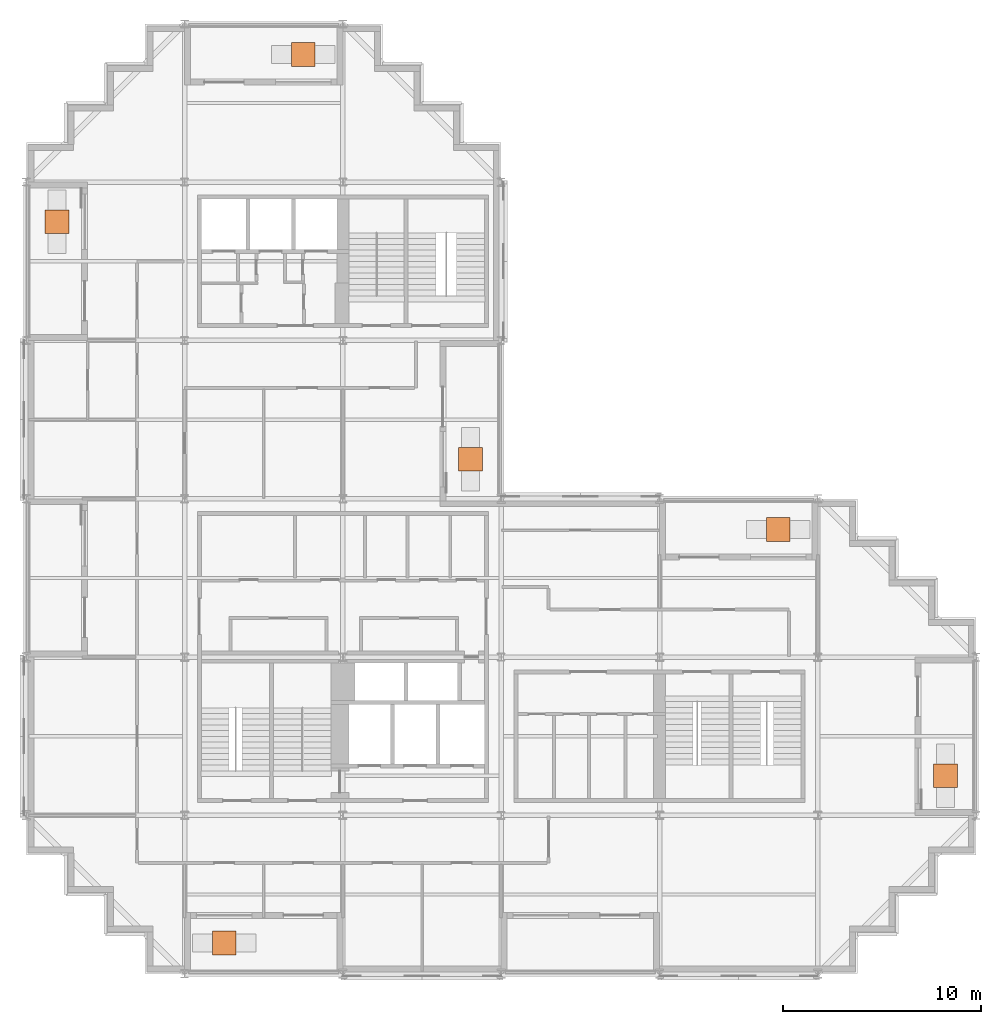
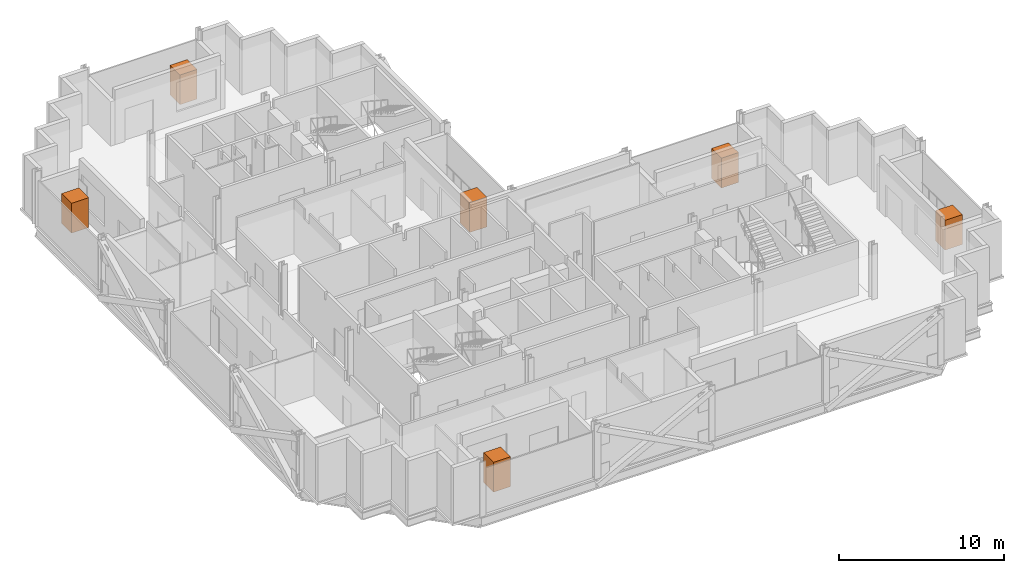
# One storey, part 12 of 12: 6 geographic elements.
"""IFC4 building model written with IfcOpenShell, lengths in metres."""

import ifcopenshell
import ifcopenshell.guid

model = None  # the IFC model being written
_history = None  # IfcOwnerHistory: only IFC2X3 demands one
_inside = {}  # id of a spatial element -> (the spatial element, [elements in it])
_under = {}  # id of a project, library or spatial element -> (it, [spatial elements below it])
_declared = {}  # id of a project -> (the project, [libraries it declares])
_typed = {}  # id of a type object -> (the type object, [elements of that type])
_made_of = {}  # id of a material, layer set ... -> (it, [elements and type objects made of it])


def new_model(schema):
    """Start an empty IFC model of exactly this schema.

    Asked for "IFC4X3", IfcOpenShell would pick the latest addendum, in which some entities
    have other attributes; the version numbers below select the first issue.
    IFC2X3 requires an IfcOwnerHistory on every rooted entity: one is made here for all.
    """
    global model, _history
    if schema == "IFC4X3":
        model = ifcopenshell.file(schema_version=(4, 3, 0, 0))
    else:
        model = ifcopenshell.file(schema=schema)
    _inside.clear()
    _under.clear()
    _declared.clear()
    _typed.clear()
    _made_of.clear()
    _history = None
    if model.schema == "IFC2X3":
        org = make("IfcOrganization", Name="unknown")
        user = make(
            "IfcPersonAndOrganization",
            ThePerson=make("IfcPerson", FamilyName="unknown"),
            TheOrganization=org,
        )
        app = make(
            "IfcApplication",
            ApplicationDeveloper=org,
            Version="unknown",
            ApplicationFullName="unknown",
            ApplicationIdentifier="unknown",
        )
        _history = make(
            "IfcOwnerHistory",
            OwningUser=user,
            OwningApplication=app,
            ChangeAction="ADDED",
            CreationDate=0,
        )
    return model


def make(cls, **values):
    """One entity of the class cls with the attributes given. An attribute that is None is left unset."""
    return model.create_entity(
        cls, **{name: value for name, value in values.items() if value is not None}
    )


def rooted(cls, **values):
    """An entity with a GlobalId (a new one), such as an element, a storey or a relation."""
    return make(cls, GlobalId=ifcopenshell.guid.new(), OwnerHistory=_history, **values)


def si_unit(unit_type, name, prefix=None):
    """IfcSIUnit, for example si_unit("LENGTHUNIT", "METRE", prefix="MILLI")."""
    return make("IfcSIUnit", UnitType=unit_type, Prefix=prefix, Name=name)


def assignment(units):
    """IfcUnitAssignment: the units of a project."""
    return None if units is None else make("IfcUnitAssignment", Units=units)


def point(xyz):
    """IfcCartesianPoint."""
    return None if xyz is None else make("IfcCartesianPoint", Coordinates=xyz)


def direction(xyz):
    """IfcDirection."""
    return None if xyz is None else make("IfcDirection", DirectionRatios=xyz)


def frame(location, z_axis=None, x_axis=None):
    """IfcAxis2Placement3D, a coordinate frame: its origin and axes. An axis left out is left unset."""
    return make(
        "IfcAxis2Placement3D",
        Location=point(location),
        Axis=direction(z_axis),
        RefDirection=direction(x_axis),
    )


def frame_2d(location, x_axis=None):
    """IfcAxis2Placement2D, a coordinate frame in the plane: its origin and x axis."""
    return make(
        "IfcAxis2Placement2D", Location=point(location), RefDirection=direction(x_axis)
    )


def origin():
    """The frame at (0, 0, 0) with its axes left unset."""
    return frame((0.0, 0.0, 0.0))


def origin_2d():
    """The frame at (0, 0) in the plane with its x axis left unset."""
    return frame_2d((0.0, 0.0))


def place(relative_to, where):
    """IfcLocalPlacement: puts the frame where relative to a parent placement (None: the world)."""
    return make(
        "IfcLocalPlacement", PlacementRelTo=relative_to, RelativePlacement=where
    )


def context(
    kind, dimensions, precision=None, world=None, true_north=None, identifier=None
):
    """IfcGeometricRepresentationContext, for example the 3D "Model" context."""
    return make(
        "IfcGeometricRepresentationContext",
        ContextIdentifier=identifier,
        ContextType=kind,
        CoordinateSpaceDimension=dimensions,
        Precision=precision,
        WorldCoordinateSystem=world,
        TrueNorth=true_north,
    )


def subcontext(parent, identifier, kind, view, scale=None):
    """IfcGeometricRepresentationSubContext, for example "Body" below "Model"."""
    return make(
        "IfcGeometricRepresentationSubContext",
        ContextIdentifier=identifier,
        ContextType=kind,
        ParentContext=parent,
        TargetScale=scale,
        TargetView=view,
    )


def project(units=None, contexts=None):
    """IfcProject with its units and contexts."""
    return rooted(
        "IfcProject",
        Name="project",
        RepresentationContexts=contexts,
        UnitsInContext=assignment(units),
    )


def spatial(cls, under=None, at=None, **own):
    """A site, building, storey or space (cls), placed at a placement, below another one or the project."""
    s = rooted(cls, ObjectPlacement=at, **own)
    if under is not None:
        _under.setdefault(under.id(), (under, []))[1].append(s)
    return s


def profile(cls, at=None, kind="AREA", **sizes):
    """A parametric profile (cls). Its sizes go by their IFC names, for example OverallWidth=200.0."""
    return make(cls, ProfileType=kind, Position=at, **sizes)


def rectangle(**sizes):
    """IfcRectangleProfileDef."""
    return profile("IfcRectangleProfileDef", **sizes)


def extrude(swept, where, along, depth):
    """IfcExtrudedAreaSolid: the profile swept, set in the frame where, extruded along a direction by depth."""
    return make(
        "IfcExtrudedAreaSolid",
        SweptArea=swept,
        Position=where,
        ExtrudedDirection=direction(along),
        Depth=depth,
    )


def shape(context_of_items, identifier, shape_type, items):
    """IfcShapeRepresentation: the items that make up one representation, for example the "Body"."""
    return make(
        "IfcShapeRepresentation",
        ContextOfItems=context_of_items,
        RepresentationIdentifier=identifier,
        RepresentationType=shape_type,
        Items=items,
    )


def material(Name=None, Category=None):
    """IfcMaterial."""
    return make("IfcMaterial", Name=Name, Category=Category)


def made_of(thing, what):
    """Note that an element or type object is made of a material, layer set ...; save() writes the relation."""
    if what is not None:
        _made_of.setdefault(what.id(), (what, []))[1].append(thing)
    return thing


def type_object(cls, material=None, **own):
    """A type object (cls), such as IfcWallType, which elements share."""
    return made_of(rooted(cls, **own), material)


def element(
    cls,
    number,
    at=None,
    inside=None,
    cuts=None,
    type_object=None,
    material=None,
    context=None,
    identifier="Body",
    shape_type=None,
    held_by="IfcProductDefinitionShape",
    body=None,
    shapes=None,
    **own,
):
    """One element of the class cls, such as IfcWall. Its Tag is "e" and its number.

    at: its placement. inside: the storey or other place that contains it. cuts: it is an
    opening in that element (IfcRelVoidsElement). A single representation is given by context,
    identifier, shape_type and body (its items); several are given by shapes. held_by: the class
    of the entity that holds the representations. save() writes the other relations.
    """
    e = rooted(cls, Tag="e%d" % number, ObjectPlacement=at, **own)
    if body is not None:
        shapes = [shape(context, identifier, shape_type, body)]
    if shapes is not None:
        e.Representation = make(held_by, Representations=shapes)
    if inside is not None:
        _inside.setdefault(inside.id(), (inside, []))[1].append(e)
    if cuts is not None:
        rooted(
            "IfcRelVoidsElement", RelatingBuildingElement=cuts, RelatedOpeningElement=e
        )
    if type_object is not None:
        _typed.setdefault(type_object.id(), (type_object, []))[1].append(e)
    return made_of(e, material)


def aggregate(whole, parts):
    """IfcRelAggregates: a whole, such as a stair, and the parts it consists of."""
    return rooted("IfcRelAggregates", RelatingObject=whole, RelatedObjects=parts)


def save(model, path):
    """Write the relations noted so far, then the file.

    IfcRelAggregates (storeys below a building ...), IfcRelContainedInSpatialStructure (elements
    in a storey), IfcRelDefinesByType, IfcRelAssociatesMaterial and IfcRelDeclares: one each for
    every whole, place, type object, material and project.
    """
    for whole, parts in _under.values():
        aggregate(whole, parts)
    for where, things in _inside.values():
        rooted(
            "IfcRelContainedInSpatialStructure",
            RelatedElements=things,
            RelatingStructure=where,
        )
    for kind, things in _typed.values():
        rooted("IfcRelDefinesByType", RelatedObjects=things, RelatingType=kind)
    for what, things in _made_of.values():
        rooted("IfcRelAssociatesMaterial", RelatedObjects=things, RelatingMaterial=what)
    for by, libraries in _declared.values():
        rooted("IfcRelDeclares", RelatingContext=by, RelatedDefinitions=libraries)
    model.write(path)


model = new_model("IFC4")

# Units and contexts
model_context = context("Model", 3, precision=1e-05, world=origin(), true_north=direction((0.0, 1.0)))
body_context = subcontext(model_context, "Body", "Model", "MODEL_VIEW")
ifc_project = project(units=[si_unit("LENGTHUNIT", "METRE"), si_unit("AREAUNIT", "SQUARE_METRE"), si_unit("VOLUMEUNIT", "CUBIC_METRE"), si_unit("PLANEANGLEUNIT", "RADIAN"), si_unit("MASSUNIT", "GRAM", prefix="KILO")], contexts=[model_context])

# Site, building, storey
site_placement = place(None, origin())
site = spatial("IfcSite", under=ifc_project, at=site_placement, CompositionType="ELEMENT")
building_placement = place(site_placement, origin())
building = spatial("IfcBuilding", under=site, at=building_placement, Name="Immortelle Media Tower", CompositionType="ELEMENT")
storey_placement = place(building_placement, frame((0.0, 0.0, 124.199951171875)))
storey = spatial("IfcBuildingStorey", under=building, at=storey_placement, Name="L24", CompositionType="ELEMENT", Elevation=124.199951171875)

# Geographic elements
ifc_material = material(Name="Tree canopy foliage")
geographic_element_type = type_object("IfcGeographicElementType", Name="Tree", PredefinedType="USERDEFINED", material=ifc_material)
for number, where, z_axis, x_axis, name in (
    (1, (10.0, 1.550048828125, 0.60009765625), (0.0, 0.0, 1.0), (1.0, 0.0, 0.0), "Tree L24 S0"),
    (2, (46.449951171875, 10.0, 0.60009765625), (0.0, 0.0, 1.0), (1.0, 0.0, 0.0), "Tree L24 E0"),
    (3, (38.0, 22.449951171875, 0.60009765625), (0.0, 0.0, 1.0), (1.0, 0.0, 0.0), "Tree L24 N0"),
    (4, (22.449951171875, 26.0, 0.60009765625), (0.0, 0.0, 1.0), (1.0, 0.0, 0.0), "Tree L24 E0"),
    (5, (14.0, 46.449951171875, 0.60009765625), (0.0, 0.0, 1.0), (1.0, 0.0, 0.0), "Tree L24 N0"),
    (6, (1.550048828125, 38.0, 0.60009765625), (0.0, 0.0, 1.0), (1.0, 0.0, 0.0), "Tree L24 W0"),
):
    element("IfcGeographicElement", number, at=place(storey_placement, frame(where, z_axis=z_axis, x_axis=x_axis)), inside=storey, type_object=geographic_element_type, Name=name, ObjectType="Tree", PredefinedType="USERDEFINED", context=body_context, shape_type="SweptSolid", body=[
        extrude(rectangle(XDim=1.199951171875, YDim=1.199951171875, at=origin_2d()), origin(), (0.0, 0.0, 1.0), 2.199951171875),
    ])

save(model, "model.ifc")
